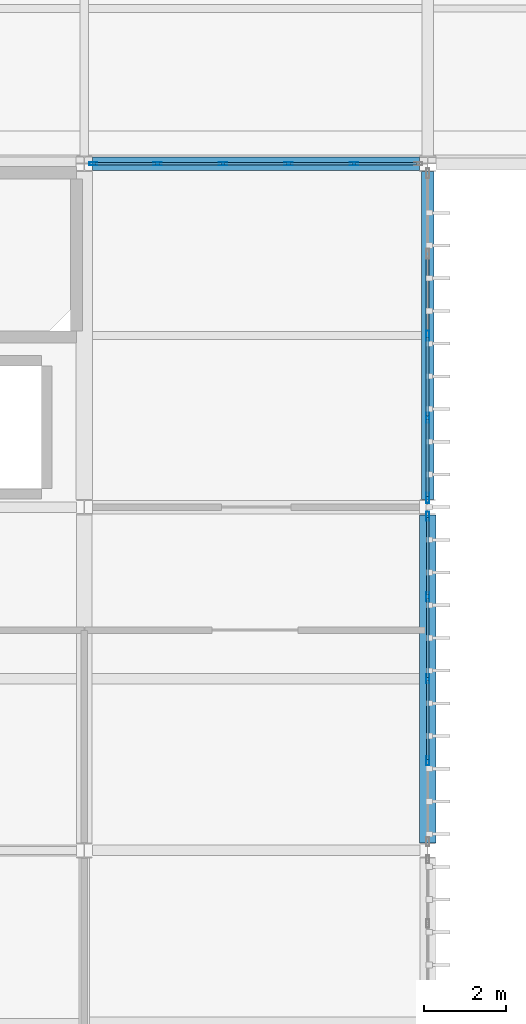
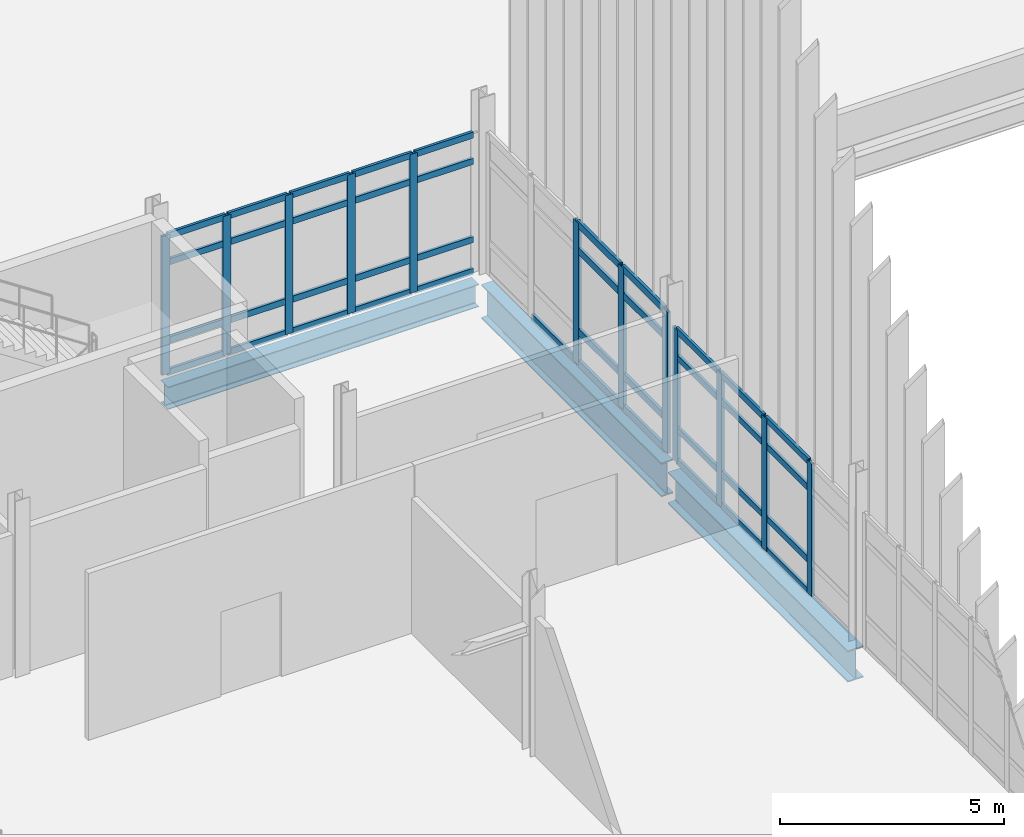
# One storey, part 45 of 153: 53 members, 3 beams, 3 elements without a shape of their own.
"""IFC4 building model written with IfcOpenShell, lengths in metres."""

from ifc_helpers import new_model, si_unit, direction, frame, origin, origin_2d, place, context, subcontext, project, spatial, hollow_rectangle, i_section, extrude, material, layer, layer_set, material_profile, profile_set, type_object, element, aggregate, save


model = new_model("IFC4")

# Units and contexts
model_context = context("Model", 3, precision=1e-05, world=origin(), true_north=direction((0.0, 1.0)))
body_context = subcontext(model_context, "Body", "Model", "MODEL_VIEW")
ifc_project = project(units=[si_unit("LENGTHUNIT", "METRE"), si_unit("AREAUNIT", "SQUARE_METRE"), si_unit("VOLUMEUNIT", "CUBIC_METRE"), si_unit("PLANEANGLEUNIT", "RADIAN"), si_unit("MASSUNIT", "GRAM", prefix="KILO")], contexts=[model_context])

# Site, building, storey
site_placement = place(None, origin())
site = spatial("IfcSite", under=ifc_project, at=site_placement, CompositionType="ELEMENT")
building_placement = place(site_placement, origin())
building = spatial("IfcBuilding", under=site, at=building_placement, Name="Calvrana Isthmian Art Gallery", CompositionType="ELEMENT")
storey_placement = place(building_placement, frame((0.0, 0.0, 10.199951171875)))
storey = spatial("IfcBuildingStorey", under=building, at=storey_placement, Name="L02", CompositionType="ELEMENT", Elevation=10.199951171875)

# Beams
ifc_material_1 = material(Name="Steel ASTM A992 Gr 50", Category="steel")
ifc_material_profile_1 = material_profile(ifc_material_1, i_section(OverallWidth=0.324951171875, OverallDepth=0.612060546875, WebThickness=0.0126953125, FlangeThickness=0.01904296875, FilletRadius=0.02197265625, at=origin_2d()), Name="W24X104")
ifc_profile_set_1 = profile_set([ifc_material_profile_1], Name="Steel ASTM A992 Gr 50")
beam_type_1 = type_object("IfcBeamType", Name="BM-G-W24X104", PredefinedType="BEAM", material=ifc_profile_set_1)
beam_1_placement = place(storey_placement, frame((72.199462890625, 46.800048828125, -0.571044921875), z_axis=(1.0, 0.0, 0.0), x_axis=(0.0, 1.0, 0.0)))
element("IfcBeam", 1, at=beam_1_placement, inside=storey, type_object=beam_type_1, Name="Girder X L02 10-11/G", PredefinedType="BEAM", context=body_context, shape_type="SweptSolid", body=[
    extrude(i_section(OverallWidth=0.324951171875, OverallDepth=0.612060546875, WebThickness=0.0126953125, FlangeThickness=0.01904296875, FilletRadius=0.02197265625, at=origin_2d()), origin(), (0.0, 0.0, 1.0), 8.00244140625),
])
ifc_material_profile_2 = material_profile(ifc_material_1, i_section(OverallWidth=0.40087890625, OverallDepth=0.85595703125, WebThickness=0.018310546875, FlangeThickness=0.029296875, FilletRadius=0.02587890625, at=origin_2d()), Name="W33X201")
ifc_profile_set_2 = profile_set([ifc_material_profile_2], Name="Steel ASTM A992 Gr 50")
beam_type_2 = type_object("IfcBeamType", Name="BM-G-W33X201", PredefinedType="BEAM", material=ifc_profile_set_2)
beam_2_placement = place(storey_placement, frame((80.39990234375, 30.1865234375, -0.69287109375), z_axis=(0.0, 1.0, 0.0), x_axis=(-1.0, 0.0, 0.0)))
element("IfcBeam", 2, at=beam_2_placement, inside=storey, type_object=beam_type_2, Name="Girder Y L02 11/E-F", PredefinedType="BEAM", context=body_context, shape_type="SweptSolid", body=[
    extrude(i_section(OverallWidth=0.40087890625, OverallDepth=0.85595703125, WebThickness=0.018310546875, FlangeThickness=0.029296875, FilletRadius=0.02587890625, at=origin_2d()), origin(), (0.0, 0.0, 1.0), 8.025390625),
])
ifc_material_profile_3 = material_profile(ifc_material_1, i_section(OverallWidth=0.306884765625, OverallDepth=0.927001953125, WebThickness=0.019287109375, FlangeThickness=0.031982421875, FilletRadius=0.028076171875, at=origin_2d()), Name="W36X194")
ifc_profile_set_3 = profile_set([ifc_material_profile_3], Name="Steel ASTM A992 Gr 50")
beam_type_3 = type_object("IfcBeamType", Name="BM-G-W36X194", PredefinedType="BEAM", material=ifc_profile_set_3)
beam_3_placement = place(storey_placement, frame((80.39990234375, 38.587890625, -0.728515625), z_axis=(0.0, 1.0, 0.0), x_axis=(-1.0, 0.0, 0.0)))
element("IfcBeam", 3, at=beam_3_placement, inside=storey, type_object=beam_type_3, Name="Girder Y L02 11/F-G", PredefinedType="BEAM", context=body_context, shape_type="SweptSolid", body=[
    extrude(i_section(OverallWidth=0.306884765625, OverallDepth=0.927001953125, WebThickness=0.019287109375, FlangeThickness=0.031982421875, FilletRadius=0.028076171875, at=origin_2d()), origin(), (0.0, 0.0, 1.0), 8.021728515625),
])

# Curtain wall, members
ifc_material_2 = material(Name="Anodized bronze aluminium 6063-T6", Category="aluminium")
ifc_layer_1 = layer(ifc_material_2, 0.179931640625, Name="Anodized bronze aluminium 6063-T6")
ifc_layer_set_1 = layer_set([ifc_layer_1], Name="Anodized bronze aluminium 6063-T6")
curtain_wall_type_1 = type_object("IfcCurtainWallType", Name="CW-UNIT-080X38", PredefinedType="USERDEFINED", material=ifc_layer_set_1)
curtain_wall_1_placement = place(storey_placement, origin())
curtain_wall_1 = element("IfcCurtainWall", 4, at=curtain_wall_1_placement, inside=storey, type_object=curtain_wall_type_1, Name="Curtain wall CW-153", ObjectType="UNITISED CURTAIN WALL", PredefinedType="USERDEFINED")
ifc_material_profile_4 = material_profile(ifc_material_2, hollow_rectangle(XDim=0.070068359375, YDim=0.199951171875, WallThickness=0.0048828125, at=origin_2d()), Name="CWM70X200")
ifc_profile_set_4 = profile_set([ifc_material_profile_4], Name="Anodized bronze aluminium 6063-T6")
member_type_1 = type_object("IfcMemberType", Name="CWM-CWM70X200", PredefinedType="MULLION", material=ifc_profile_set_4)
member_1_placement = place(storey_placement, frame((72.221435546875, 46.800048828125, 0.0), z_axis=(0.0, 0.0, 1.0), x_axis=(0.0, 1.0, 0.0)))
member_1 = element("IfcMember", 5, at=member_1_placement, type_object=member_type_1, Name="CW-153 mullion 1", PredefinedType="MULLION", context=body_context, shape_type="SweptSolid", body=[
    extrude(hollow_rectangle(XDim=0.070068359375, YDim=0.199951171875, WallThickness=0.0048828125, at=origin_2d()), origin(), (0.0, 0.0, 1.0), 3.778076171875),
])
member_2_placement = place(storey_placement, frame((73.789306640625, 46.800048828125, 0.0), z_axis=(0.0, 0.0, 1.0), x_axis=(0.0, 1.0, 0.0)))
member_2 = element("IfcMember", 6, at=member_2_placement, type_object=member_type_1, Name="CW-153 mullion 2", PredefinedType="MULLION", context=body_context, shape_type="SweptSolid", body=[
    extrude(hollow_rectangle(XDim=0.070068359375, YDim=0.199951171875, WallThickness=0.0048828125, at=origin_2d()), origin(), (0.0, 0.0, 1.0), 3.778076171875),
])
member_3_placement = place(storey_placement, frame((75.39208984375, 46.800048828125, 0.0), z_axis=(0.0, 0.0, 1.0), x_axis=(0.0, 1.0, 0.0)))
member_3 = element("IfcMember", 7, at=member_3_placement, type_object=member_type_1, Name="CW-153 mullion 3", PredefinedType="MULLION", context=body_context, shape_type="SweptSolid", body=[
    extrude(hollow_rectangle(XDim=0.070068359375, YDim=0.199951171875, WallThickness=0.0048828125, at=origin_2d()), origin(), (0.0, 0.0, 1.0), 3.778076171875),
])
member_4_placement = place(storey_placement, frame((76.994873046875, 46.800048828125, 0.0), z_axis=(0.0, 0.0, 1.0), x_axis=(0.0, 1.0, 0.0)))
member_4 = element("IfcMember", 8, at=member_4_placement, type_object=member_type_1, Name="CW-153 mullion 4", PredefinedType="MULLION", context=body_context, shape_type="SweptSolid", body=[
    extrude(hollow_rectangle(XDim=0.070068359375, YDim=0.199951171875, WallThickness=0.0048828125, at=origin_2d()), origin(), (0.0, 0.0, 1.0), 3.778076171875),
])
member_5_placement = place(storey_placement, frame((78.59765625, 46.800048828125, 0.0), z_axis=(0.0, 0.0, 1.0), x_axis=(0.0, 1.0, 0.0)))
member_5 = element("IfcMember", 9, at=member_5_placement, type_object=member_type_1, Name="CW-153 mullion 5", PredefinedType="MULLION", context=body_context, shape_type="SweptSolid", body=[
    extrude(hollow_rectangle(XDim=0.070068359375, YDim=0.199951171875, WallThickness=0.0048828125, at=origin_2d()), origin(), (0.0, 0.0, 1.0), 3.778076171875),
])

ifc_layer_2 = layer(ifc_material_2, 0.179931640625, Name="Anodized bronze aluminium 6063-T6")
ifc_layer_set_2 = layer_set([ifc_layer_2], Name="Anodized bronze aluminium 6063-T6")
curtain_wall_type_2 = type_object("IfcCurtainWallType", Name="CW-UNIT-080X36", PredefinedType="USERDEFINED", material=ifc_layer_set_2)
curtain_wall_2_placement = place(storey_placement, origin())
curtain_wall_2 = element("IfcCurtainWall", 10, at=curtain_wall_2_placement, inside=storey, type_object=curtain_wall_type_2, Name="Curtain wall CW-178", ObjectType="UNITISED CURTAIN WALL", PredefinedType="USERDEFINED")
ifc_material_profile_5 = material_profile(ifc_material_2, hollow_rectangle(XDim=0.074951171875, YDim=0.219970703125, WallThickness=0.0048828125, at=origin_2d()), Name="CWM75X220")
ifc_profile_set_5 = profile_set([ifc_material_profile_5], Name="Anodized bronze aluminium 6063-T6")
member_type_2 = type_object("IfcMemberType", Name="CWM-CWM75X220", PredefinedType="MULLION", material=ifc_profile_set_5)
member_6_placement = place(storey_placement, frame((80.39990234375, 38.178466796875, 0.0), z_axis=(0.0, 0.0, 1.0), x_axis=(1.0, 0.0, 0.0)))
member_6 = element("IfcMember", 11, at=member_6_placement, type_object=member_type_2, Name="CW-178 mullion 1", PredefinedType="MULLION", context=body_context, shape_type="SweptSolid", body=[
    extrude(hollow_rectangle(XDim=0.074951171875, YDim=0.219970703125, WallThickness=0.0048828125, at=origin_2d()), origin(), (0.0, 0.0, 1.0), 3.613037109375),
])
member_7_placement = place(storey_placement, frame((80.39990234375, 36.207275390625, 0.0), z_axis=(0.0, 0.0, 1.0), x_axis=(1.0, 0.0, 0.0)))
member_7 = element("IfcMember", 12, at=member_7_placement, type_object=member_type_2, Name="CW-178 mullion 2", PredefinedType="MULLION", context=body_context, shape_type="SweptSolid", body=[
    extrude(hollow_rectangle(XDim=0.074951171875, YDim=0.219970703125, WallThickness=0.0048828125, at=origin_2d()), origin(), (0.0, 0.0, 1.0), 3.613037109375),
])
member_8_placement = place(storey_placement, frame((80.39990234375, 34.19873046875, 0.0), z_axis=(0.0, 0.0, 1.0), x_axis=(1.0, 0.0, 0.0)))
member_8 = element("IfcMember", 13, at=member_8_placement, type_object=member_type_2, Name="CW-178 mullion 3", PredefinedType="MULLION", context=body_context, shape_type="SweptSolid", body=[
    extrude(hollow_rectangle(XDim=0.074951171875, YDim=0.219970703125, WallThickness=0.0048828125, at=origin_2d()), origin(), (0.0, 0.0, 1.0), 3.613037109375),
])
member_9_placement = place(storey_placement, frame((80.39990234375, 32.190185546875, 0.0), z_axis=(0.0, 0.0, 1.0), x_axis=(1.0, 0.0, 0.0)))
member_9 = element("IfcMember", 14, at=member_9_placement, type_object=member_type_2, Name="CW-178 mullion 4", PredefinedType="MULLION", context=body_context, shape_type="SweptSolid", body=[
    extrude(hollow_rectangle(XDim=0.074951171875, YDim=0.219970703125, WallThickness=0.0048828125, at=origin_2d()), origin(), (0.0, 0.0, 1.0), 3.613037109375),
])

curtain_wall_3_placement = place(storey_placement, origin())
curtain_wall_3 = element("IfcCurtainWall", 15, at=curtain_wall_3_placement, inside=storey, type_object=curtain_wall_type_1, Name="Curtain wall CW-179", ObjectType="UNITISED CURTAIN WALL", PredefinedType="USERDEFINED")
ifc_material_profile_6 = material_profile(ifc_material_2, hollow_rectangle(XDim=0.080078125, YDim=0.25, WallThickness=0.005615234375, at=origin_2d()), Name="CWM80X250")
ifc_profile_set_6 = profile_set([ifc_material_profile_6], Name="Anodized bronze aluminium 6063-T6")
member_type_3 = type_object("IfcMemberType", Name="CWM-CWM80X250", PredefinedType="MULLION", material=ifc_profile_set_6)
member_10_placement = place(storey_placement, frame((80.39990234375, 42.595458984375, 0.0), z_axis=(0.0, 0.0, 1.0), x_axis=(1.0, 0.0, 0.0)))
member_10 = element("IfcMember", 16, at=member_10_placement, type_object=member_type_3, Name="CW-179 mullion 3", PredefinedType="MULLION", context=body_context, shape_type="SweptSolid", body=[
    extrude(hollow_rectangle(XDim=0.080078125, YDim=0.25, WallThickness=0.005615234375, at=origin_2d()), origin(), (0.0, 0.0, 1.0), 3.84716796875),
])
member_11_placement = place(storey_placement, frame((80.39990234375, 40.58984375, 0.0), z_axis=(0.0, 0.0, 1.0), x_axis=(1.0, 0.0, 0.0)))
member_11 = element("IfcMember", 17, at=member_11_placement, type_object=member_type_3, Name="CW-179 mullion 4", PredefinedType="MULLION", context=body_context, shape_type="SweptSolid", body=[
    extrude(hollow_rectangle(XDim=0.080078125, YDim=0.25, WallThickness=0.005615234375, at=origin_2d()), origin(), (0.0, 0.0, 1.0), 3.84716796875),
])
member_12_placement = place(storey_placement, frame((80.39990234375, 38.6240234375, 0.0), z_axis=(0.0, 0.0, 1.0), x_axis=(1.0, 0.0, 0.0)))
member_12 = element("IfcMember", 18, at=member_12_placement, type_object=member_type_3, Name="CW-179 mullion 5", PredefinedType="MULLION", context=body_context, shape_type="SweptSolid", body=[
    extrude(hollow_rectangle(XDim=0.080078125, YDim=0.25, WallThickness=0.005615234375, at=origin_2d()), origin(), (0.0, 0.0, 1.0), 3.84716796875),
])

# Member
ifc_material_profile_7 = material_profile(ifc_material_2, hollow_rectangle(XDim=0.070068359375, YDim=0.169921875, WallThickness=0.00439453125, at=origin_2d()), Name="CWT70X170")
ifc_profile_set_7 = profile_set([ifc_material_profile_7], Name="Anodized bronze aluminium 6063-T6")
member_type_4 = type_object("IfcMemberType", Name="CWT-CWT70X170", PredefinedType="USERDEFINED", material=ifc_profile_set_7)
member_13_placement = place(storey_placement, frame((72.256591796875, 46.800048828125, 0.03515625), z_axis=(1.0, 0.0, 0.0), x_axis=(0.0, 1.0, 0.0)))
member_13 = element("IfcMember", 19, at=member_13_placement, type_object=member_type_4, Name="CW-153 transom 1.1", ObjectType="TRANSOM", PredefinedType="USERDEFINED", context=body_context, shape_type="SweptSolid", body=[
    extrude(hollow_rectangle(XDim=0.070068359375, YDim=0.169921875, WallThickness=0.00439453125, at=origin_2d()), origin(), (0.0, 0.0, 1.0), 1.497802734375),
])

member_14_placement = place(storey_placement, frame((72.256591796875, 46.800048828125, 0.900146484375), z_axis=(1.0, 0.0, 0.0), x_axis=(0.0, 1.0, 0.0)))
member_14 = element("IfcMember", 20, at=member_14_placement, type_object=member_type_4, Name="CW-153 transom 1.2", ObjectType="TRANSOM", PredefinedType="USERDEFINED", context=body_context, shape_type="SweptSolid", body=[
    extrude(hollow_rectangle(XDim=0.070068359375, YDim=0.169921875, WallThickness=0.00439453125, at=origin_2d()), origin(), (0.0, 0.0, 1.0), 1.497802734375),
])

member_15_placement = place(storey_placement, frame((72.256591796875, 46.800048828125, 3.028076171875), z_axis=(1.0, 0.0, 0.0), x_axis=(0.0, 1.0, 0.0)))
member_15 = element("IfcMember", 21, at=member_15_placement, type_object=member_type_4, Name="CW-153 transom 1.3", ObjectType="TRANSOM", PredefinedType="USERDEFINED", context=body_context, shape_type="SweptSolid", body=[
    extrude(hollow_rectangle(XDim=0.070068359375, YDim=0.169921875, WallThickness=0.00439453125, at=origin_2d()), origin(), (0.0, 0.0, 1.0), 1.497802734375),
])

member_16_placement = place(storey_placement, frame((72.256591796875, 46.800048828125, 3.7431640625), z_axis=(1.0, 0.0, 0.0), x_axis=(0.0, 1.0, 0.0)))
member_16 = element("IfcMember", 22, at=member_16_placement, type_object=member_type_4, Name="CW-153 transom 1.4", ObjectType="TRANSOM", PredefinedType="USERDEFINED", context=body_context, shape_type="SweptSolid", body=[
    extrude(hollow_rectangle(XDim=0.070068359375, YDim=0.169921875, WallThickness=0.00439453125, at=origin_2d()), origin(), (0.0, 0.0, 1.0), 1.497802734375),
])

member_17_placement = place(storey_placement, frame((73.82421875, 46.800048828125, 0.03515625), z_axis=(1.0, 0.0, 0.0), x_axis=(0.0, 1.0, 0.0)))
member_17 = element("IfcMember", 23, at=member_17_placement, type_object=member_type_4, Name="CW-153 transom 2.1", ObjectType="TRANSOM", PredefinedType="USERDEFINED", context=body_context, shape_type="SweptSolid", body=[
    extrude(hollow_rectangle(XDim=0.070068359375, YDim=0.169921875, WallThickness=0.00439453125, at=origin_2d()), origin(), (0.0, 0.0, 1.0), 1.532958984375),
])

member_18_placement = place(storey_placement, frame((73.82421875, 46.800048828125, 0.900146484375), z_axis=(1.0, 0.0, 0.0), x_axis=(0.0, 1.0, 0.0)))
member_18 = element("IfcMember", 24, at=member_18_placement, type_object=member_type_4, Name="CW-153 transom 2.2", ObjectType="TRANSOM", PredefinedType="USERDEFINED", context=body_context, shape_type="SweptSolid", body=[
    extrude(hollow_rectangle(XDim=0.070068359375, YDim=0.169921875, WallThickness=0.00439453125, at=origin_2d()), origin(), (0.0, 0.0, 1.0), 1.532958984375),
])

member_19_placement = place(storey_placement, frame((73.82421875, 46.800048828125, 3.028076171875), z_axis=(1.0, 0.0, 0.0), x_axis=(0.0, 1.0, 0.0)))
member_19 = element("IfcMember", 25, at=member_19_placement, type_object=member_type_4, Name="CW-153 transom 2.3", ObjectType="TRANSOM", PredefinedType="USERDEFINED", context=body_context, shape_type="SweptSolid", body=[
    extrude(hollow_rectangle(XDim=0.070068359375, YDim=0.169921875, WallThickness=0.00439453125, at=origin_2d()), origin(), (0.0, 0.0, 1.0), 1.532958984375),
])

member_20_placement = place(storey_placement, frame((73.82421875, 46.800048828125, 3.7431640625), z_axis=(1.0, 0.0, 0.0), x_axis=(0.0, 1.0, 0.0)))
member_20 = element("IfcMember", 26, at=member_20_placement, type_object=member_type_4, Name="CW-153 transom 2.4", ObjectType="TRANSOM", PredefinedType="USERDEFINED", context=body_context, shape_type="SweptSolid", body=[
    extrude(hollow_rectangle(XDim=0.070068359375, YDim=0.169921875, WallThickness=0.00439453125, at=origin_2d()), origin(), (0.0, 0.0, 1.0), 1.532958984375),
])

member_21_placement = place(storey_placement, frame((75.427001953125, 46.800048828125, 0.03515625), z_axis=(1.0, 0.0, 0.0), x_axis=(0.0, 1.0, 0.0)))
member_21 = element("IfcMember", 27, at=member_21_placement, type_object=member_type_4, Name="CW-153 transom 3.1", ObjectType="TRANSOM", PredefinedType="USERDEFINED", context=body_context, shape_type="SweptSolid", body=[
    extrude(hollow_rectangle(XDim=0.070068359375, YDim=0.169921875, WallThickness=0.00439453125, at=origin_2d()), origin(), (0.0, 0.0, 1.0), 1.532958984375),
])

member_22_placement = place(storey_placement, frame((75.427001953125, 46.800048828125, 0.900146484375), z_axis=(1.0, 0.0, 0.0), x_axis=(0.0, 1.0, 0.0)))
member_22 = element("IfcMember", 28, at=member_22_placement, type_object=member_type_4, Name="CW-153 transom 3.2", ObjectType="TRANSOM", PredefinedType="USERDEFINED", context=body_context, shape_type="SweptSolid", body=[
    extrude(hollow_rectangle(XDim=0.070068359375, YDim=0.169921875, WallThickness=0.00439453125, at=origin_2d()), origin(), (0.0, 0.0, 1.0), 1.532958984375),
])

member_23_placement = place(storey_placement, frame((75.427001953125, 46.800048828125, 3.028076171875), z_axis=(1.0, 0.0, 0.0), x_axis=(0.0, 1.0, 0.0)))
member_23 = element("IfcMember", 29, at=member_23_placement, type_object=member_type_4, Name="CW-153 transom 3.3", ObjectType="TRANSOM", PredefinedType="USERDEFINED", context=body_context, shape_type="SweptSolid", body=[
    extrude(hollow_rectangle(XDim=0.070068359375, YDim=0.169921875, WallThickness=0.00439453125, at=origin_2d()), origin(), (0.0, 0.0, 1.0), 1.532958984375),
])

member_24_placement = place(storey_placement, frame((75.427001953125, 46.800048828125, 3.7431640625), z_axis=(1.0, 0.0, 0.0), x_axis=(0.0, 1.0, 0.0)))
member_24 = element("IfcMember", 30, at=member_24_placement, type_object=member_type_4, Name="CW-153 transom 3.4", ObjectType="TRANSOM", PredefinedType="USERDEFINED", context=body_context, shape_type="SweptSolid", body=[
    extrude(hollow_rectangle(XDim=0.070068359375, YDim=0.169921875, WallThickness=0.00439453125, at=origin_2d()), origin(), (0.0, 0.0, 1.0), 1.532958984375),
])

member_25_placement = place(storey_placement, frame((77.02978515625, 46.800048828125, 0.03515625), z_axis=(1.0, 0.0, 0.0), x_axis=(0.0, 1.0, 0.0)))
member_25 = element("IfcMember", 31, at=member_25_placement, type_object=member_type_4, Name="CW-153 transom 4.1", ObjectType="TRANSOM", PredefinedType="USERDEFINED", context=body_context, shape_type="SweptSolid", body=[
    extrude(hollow_rectangle(XDim=0.070068359375, YDim=0.169921875, WallThickness=0.00439453125, at=origin_2d()), origin(), (0.0, 0.0, 1.0), 1.532958984375),
])

member_26_placement = place(storey_placement, frame((77.02978515625, 46.800048828125, 0.900146484375), z_axis=(1.0, 0.0, 0.0), x_axis=(0.0, 1.0, 0.0)))
member_26 = element("IfcMember", 32, at=member_26_placement, type_object=member_type_4, Name="CW-153 transom 4.2", ObjectType="TRANSOM", PredefinedType="USERDEFINED", context=body_context, shape_type="SweptSolid", body=[
    extrude(hollow_rectangle(XDim=0.070068359375, YDim=0.169921875, WallThickness=0.00439453125, at=origin_2d()), origin(), (0.0, 0.0, 1.0), 1.532958984375),
])

member_27_placement = place(storey_placement, frame((77.02978515625, 46.800048828125, 3.028076171875), z_axis=(1.0, 0.0, 0.0), x_axis=(0.0, 1.0, 0.0)))
member_27 = element("IfcMember", 33, at=member_27_placement, type_object=member_type_4, Name="CW-153 transom 4.3", ObjectType="TRANSOM", PredefinedType="USERDEFINED", context=body_context, shape_type="SweptSolid", body=[
    extrude(hollow_rectangle(XDim=0.070068359375, YDim=0.169921875, WallThickness=0.00439453125, at=origin_2d()), origin(), (0.0, 0.0, 1.0), 1.532958984375),
])

member_28_placement = place(storey_placement, frame((77.02978515625, 46.800048828125, 3.7431640625), z_axis=(1.0, 0.0, 0.0), x_axis=(0.0, 1.0, 0.0)))
member_28 = element("IfcMember", 34, at=member_28_placement, type_object=member_type_4, Name="CW-153 transom 4.4", ObjectType="TRANSOM", PredefinedType="USERDEFINED", context=body_context, shape_type="SweptSolid", body=[
    extrude(hollow_rectangle(XDim=0.070068359375, YDim=0.169921875, WallThickness=0.00439453125, at=origin_2d()), origin(), (0.0, 0.0, 1.0), 1.532958984375),
])

member_29_placement = place(storey_placement, frame((78.6328125, 46.800048828125, 0.03515625), z_axis=(1.0, 0.0, 0.0), x_axis=(0.0, 1.0, 0.0)))
member_29 = element("IfcMember", 35, at=member_29_placement, type_object=member_type_4, Name="CW-153 transom 5.1", ObjectType="TRANSOM", PredefinedType="USERDEFINED", context=body_context, shape_type="SweptSolid", body=[
    extrude(hollow_rectangle(XDim=0.070068359375, YDim=0.169921875, WallThickness=0.00439453125, at=origin_2d()), origin(), (0.0, 0.0, 1.0), 1.497802734375),
])

member_30_placement = place(storey_placement, frame((78.6328125, 46.800048828125, 0.900146484375), z_axis=(1.0, 0.0, 0.0), x_axis=(0.0, 1.0, 0.0)))
member_30 = element("IfcMember", 36, at=member_30_placement, type_object=member_type_4, Name="CW-153 transom 5.2", ObjectType="TRANSOM", PredefinedType="USERDEFINED", context=body_context, shape_type="SweptSolid", body=[
    extrude(hollow_rectangle(XDim=0.070068359375, YDim=0.169921875, WallThickness=0.00439453125, at=origin_2d()), origin(), (0.0, 0.0, 1.0), 1.497802734375),
])

member_31_placement = place(storey_placement, frame((78.6328125, 46.800048828125, 3.028076171875), z_axis=(1.0, 0.0, 0.0), x_axis=(0.0, 1.0, 0.0)))
member_31 = element("IfcMember", 37, at=member_31_placement, type_object=member_type_4, Name="CW-153 transom 5.3", ObjectType="TRANSOM", PredefinedType="USERDEFINED", context=body_context, shape_type="SweptSolid", body=[
    extrude(hollow_rectangle(XDim=0.070068359375, YDim=0.169921875, WallThickness=0.00439453125, at=origin_2d()), origin(), (0.0, 0.0, 1.0), 1.497802734375),
])

member_32_placement = place(storey_placement, frame((78.6328125, 46.800048828125, 3.7431640625), z_axis=(1.0, 0.0, 0.0), x_axis=(0.0, 1.0, 0.0)))
member_32 = element("IfcMember", 38, at=member_32_placement, type_object=member_type_4, Name="CW-153 transom 5.4", ObjectType="TRANSOM", PredefinedType="USERDEFINED", context=body_context, shape_type="SweptSolid", body=[
    extrude(hollow_rectangle(XDim=0.070068359375, YDim=0.169921875, WallThickness=0.00439453125, at=origin_2d()), origin(), (0.0, 0.0, 1.0), 1.497802734375),
])

aggregate(curtain_wall_1, [member_1, member_2, member_3, member_4, member_5, member_13, member_14, member_15, member_16, member_17, member_18, member_19, member_20, member_21, member_22, member_23, member_24, member_25, member_26, member_27, member_28, member_29, member_30, member_31, member_32])

member_33_placement = place(storey_placement, frame((80.39990234375, 38.14111328125, 0.03515625), z_axis=(0.0, -1.0, 0.0), x_axis=(1.0, 0.0, 0.0)))
member_33 = element("IfcMember", 39, at=member_33_placement, type_object=member_type_4, Name="CW-178 transom 1.1", ObjectType="TRANSOM", PredefinedType="USERDEFINED", context=body_context, shape_type="SweptSolid", body=[
    extrude(hollow_rectangle(XDim=0.070068359375, YDim=0.169921875, WallThickness=0.00439453125, at=origin_2d()), origin(), (0.0, 0.0, 1.0), 1.896240234375),
])

member_34_placement = place(storey_placement, frame((80.39990234375, 38.14111328125, 0.900146484375), z_axis=(0.0, -1.0, 0.0), x_axis=(1.0, 0.0, 0.0)))
member_34 = element("IfcMember", 40, at=member_34_placement, type_object=member_type_4, Name="CW-178 transom 1.2", ObjectType="TRANSOM", PredefinedType="USERDEFINED", context=body_context, shape_type="SweptSolid", body=[
    extrude(hollow_rectangle(XDim=0.070068359375, YDim=0.169921875, WallThickness=0.00439453125, at=origin_2d()), origin(), (0.0, 0.0, 1.0), 1.896240234375),
])

member_35_placement = place(storey_placement, frame((80.39990234375, 38.14111328125, 2.863037109375), z_axis=(0.0, -1.0, 0.0), x_axis=(1.0, 0.0, 0.0)))
member_35 = element("IfcMember", 41, at=member_35_placement, type_object=member_type_4, Name="CW-178 transom 1.3", ObjectType="TRANSOM", PredefinedType="USERDEFINED", context=body_context, shape_type="SweptSolid", body=[
    extrude(hollow_rectangle(XDim=0.070068359375, YDim=0.169921875, WallThickness=0.00439453125, at=origin_2d()), origin(), (0.0, 0.0, 1.0), 1.896240234375),
])

member_36_placement = place(storey_placement, frame((80.39990234375, 38.14111328125, 3.578125), z_axis=(0.0, -1.0, 0.0), x_axis=(1.0, 0.0, 0.0)))
member_36 = element("IfcMember", 42, at=member_36_placement, type_object=member_type_4, Name="CW-178 transom 1.4", ObjectType="TRANSOM", PredefinedType="USERDEFINED", context=body_context, shape_type="SweptSolid", body=[
    extrude(hollow_rectangle(XDim=0.070068359375, YDim=0.169921875, WallThickness=0.00439453125, at=origin_2d()), origin(), (0.0, 0.0, 1.0), 1.896240234375),
])

member_37_placement = place(storey_placement, frame((80.39990234375, 36.169921875, 0.03515625), z_axis=(0.0, -1.0, 0.0), x_axis=(1.0, 0.0, 0.0)))
member_37 = element("IfcMember", 43, at=member_37_placement, type_object=member_type_4, Name="CW-178 transom 2.1", ObjectType="TRANSOM", PredefinedType="USERDEFINED", context=body_context, shape_type="SweptSolid", body=[
    extrude(hollow_rectangle(XDim=0.070068359375, YDim=0.169921875, WallThickness=0.00439453125, at=origin_2d()), origin(), (0.0, 0.0, 1.0), 1.93359375),
])

member_38_placement = place(storey_placement, frame((80.39990234375, 36.169921875, 0.900146484375), z_axis=(0.0, -1.0, 0.0), x_axis=(1.0, 0.0, 0.0)))
member_38 = element("IfcMember", 44, at=member_38_placement, type_object=member_type_4, Name="CW-178 transom 2.2", ObjectType="TRANSOM", PredefinedType="USERDEFINED", context=body_context, shape_type="SweptSolid", body=[
    extrude(hollow_rectangle(XDim=0.070068359375, YDim=0.169921875, WallThickness=0.00439453125, at=origin_2d()), origin(), (0.0, 0.0, 1.0), 1.93359375),
])

member_39_placement = place(storey_placement, frame((80.39990234375, 36.169921875, 2.863037109375), z_axis=(0.0, -1.0, 0.0), x_axis=(1.0, 0.0, 0.0)))
member_39 = element("IfcMember", 45, at=member_39_placement, type_object=member_type_4, Name="CW-178 transom 2.3", ObjectType="TRANSOM", PredefinedType="USERDEFINED", context=body_context, shape_type="SweptSolid", body=[
    extrude(hollow_rectangle(XDim=0.070068359375, YDim=0.169921875, WallThickness=0.00439453125, at=origin_2d()), origin(), (0.0, 0.0, 1.0), 1.93359375),
])

member_40_placement = place(storey_placement, frame((80.39990234375, 36.169921875, 3.578125), z_axis=(0.0, -1.0, 0.0), x_axis=(1.0, 0.0, 0.0)))
member_40 = element("IfcMember", 46, at=member_40_placement, type_object=member_type_4, Name="CW-178 transom 2.4", ObjectType="TRANSOM", PredefinedType="USERDEFINED", context=body_context, shape_type="SweptSolid", body=[
    extrude(hollow_rectangle(XDim=0.070068359375, YDim=0.169921875, WallThickness=0.00439453125, at=origin_2d()), origin(), (0.0, 0.0, 1.0), 1.93359375),
])

member_41_placement = place(storey_placement, frame((80.39990234375, 34.1611328125, 0.03515625), z_axis=(0.0, -1.0, 0.0), x_axis=(1.0, 0.0, 0.0)))
member_41 = element("IfcMember", 47, at=member_41_placement, type_object=member_type_4, Name="CW-178 transom 3.1", ObjectType="TRANSOM", PredefinedType="USERDEFINED", context=body_context, shape_type="SweptSolid", body=[
    extrude(hollow_rectangle(XDim=0.070068359375, YDim=0.169921875, WallThickness=0.00439453125, at=origin_2d()), origin(), (0.0, 0.0, 1.0), 1.93359375),
])

member_42_placement = place(storey_placement, frame((80.39990234375, 34.1611328125, 0.900146484375), z_axis=(0.0, -1.0, 0.0), x_axis=(1.0, 0.0, 0.0)))
member_42 = element("IfcMember", 48, at=member_42_placement, type_object=member_type_4, Name="CW-178 transom 3.2", ObjectType="TRANSOM", PredefinedType="USERDEFINED", context=body_context, shape_type="SweptSolid", body=[
    extrude(hollow_rectangle(XDim=0.070068359375, YDim=0.169921875, WallThickness=0.00439453125, at=origin_2d()), origin(), (0.0, 0.0, 1.0), 1.93359375),
])

member_43_placement = place(storey_placement, frame((80.39990234375, 34.1611328125, 2.863037109375), z_axis=(0.0, -1.0, 0.0), x_axis=(1.0, 0.0, 0.0)))
member_43 = element("IfcMember", 49, at=member_43_placement, type_object=member_type_4, Name="CW-178 transom 3.3", ObjectType="TRANSOM", PredefinedType="USERDEFINED", context=body_context, shape_type="SweptSolid", body=[
    extrude(hollow_rectangle(XDim=0.070068359375, YDim=0.169921875, WallThickness=0.00439453125, at=origin_2d()), origin(), (0.0, 0.0, 1.0), 1.93359375),
])

member_44_placement = place(storey_placement, frame((80.39990234375, 34.1611328125, 3.578125), z_axis=(0.0, -1.0, 0.0), x_axis=(1.0, 0.0, 0.0)))
member_44 = element("IfcMember", 50, at=member_44_placement, type_object=member_type_4, Name="CW-178 transom 3.4", ObjectType="TRANSOM", PredefinedType="USERDEFINED", context=body_context, shape_type="SweptSolid", body=[
    extrude(hollow_rectangle(XDim=0.070068359375, YDim=0.169921875, WallThickness=0.00439453125, at=origin_2d()), origin(), (0.0, 0.0, 1.0), 1.93359375),
])

aggregate(curtain_wall_2, [member_6, member_7, member_8, member_9, member_33, member_34, member_35, member_36, member_37, member_38, member_39, member_40, member_41, member_42, member_43, member_44])

ifc_material_profile_8 = material_profile(ifc_material_2, hollow_rectangle(XDim=0.074951171875, YDim=0.18994140625, WallThickness=0.00439453125, at=origin_2d()), Name="CWT75X190")
ifc_profile_set_8 = profile_set([ifc_material_profile_8], Name="Anodized bronze aluminium 6063-T6")
member_type_5 = type_object("IfcMemberType", Name="CWT-CWT75X190", PredefinedType="USERDEFINED", material=ifc_profile_set_8)
member_45_placement = place(storey_placement, frame((80.39990234375, 44.561279296875, 0.03759765625), z_axis=(0.0, -1.0, 0.0), x_axis=(1.0, 0.0, 0.0)))
member_45 = element("IfcMember", 51, at=member_45_placement, type_object=member_type_5, Name="CW-179 transom 2.1", ObjectType="TRANSOM", PredefinedType="USERDEFINED", context=body_context, shape_type="SweptSolid", body=[
    extrude(hollow_rectangle(XDim=0.074951171875, YDim=0.18994140625, WallThickness=0.00439453125, at=origin_2d()), origin(), (0.0, 0.0, 1.0), 1.92578125),
])

member_46_placement = place(storey_placement, frame((80.39990234375, 42.555419921875, 0.03759765625), z_axis=(0.0, -1.0, 0.0), x_axis=(1.0, 0.0, 0.0)))
member_46 = element("IfcMember", 52, at=member_46_placement, type_object=member_type_5, Name="CW-179 transom 3.1", ObjectType="TRANSOM", PredefinedType="USERDEFINED", context=body_context, shape_type="SweptSolid", body=[
    extrude(hollow_rectangle(XDim=0.074951171875, YDim=0.18994140625, WallThickness=0.00439453125, at=origin_2d()), origin(), (0.0, 0.0, 1.0), 1.92578125),
])

member_47_placement = place(storey_placement, frame((80.39990234375, 42.555419921875, 0.900146484375), z_axis=(0.0, -1.0, 0.0), x_axis=(1.0, 0.0, 0.0)))
member_47 = element("IfcMember", 53, at=member_47_placement, type_object=member_type_5, Name="CW-179 transom 3.2", ObjectType="TRANSOM", PredefinedType="USERDEFINED", context=body_context, shape_type="SweptSolid", body=[
    extrude(hollow_rectangle(XDim=0.074951171875, YDim=0.18994140625, WallThickness=0.00439453125, at=origin_2d()), origin(), (0.0, 0.0, 1.0), 1.92578125),
])

member_48_placement = place(storey_placement, frame((80.39990234375, 42.555419921875, 3.09716796875), z_axis=(0.0, -1.0, 0.0), x_axis=(1.0, 0.0, 0.0)))
member_48 = element("IfcMember", 54, at=member_48_placement, type_object=member_type_5, Name="CW-179 transom 3.3", ObjectType="TRANSOM", PredefinedType="USERDEFINED", context=body_context, shape_type="SweptSolid", body=[
    extrude(hollow_rectangle(XDim=0.074951171875, YDim=0.18994140625, WallThickness=0.00439453125, at=origin_2d()), origin(), (0.0, 0.0, 1.0), 1.92578125),
])

member_49_placement = place(storey_placement, frame((80.39990234375, 42.555419921875, 3.8095703125), z_axis=(0.0, -1.0, 0.0), x_axis=(1.0, 0.0, 0.0)))
member_49 = element("IfcMember", 55, at=member_49_placement, type_object=member_type_5, Name="CW-179 transom 3.4", ObjectType="TRANSOM", PredefinedType="USERDEFINED", context=body_context, shape_type="SweptSolid", body=[
    extrude(hollow_rectangle(XDim=0.074951171875, YDim=0.18994140625, WallThickness=0.00439453125, at=origin_2d()), origin(), (0.0, 0.0, 1.0), 1.92578125),
])

member_50_placement = place(storey_placement, frame((80.39990234375, 40.5498046875, 0.03759765625), z_axis=(0.0, -1.0, 0.0), x_axis=(1.0, 0.0, 0.0)))
member_50 = element("IfcMember", 56, at=member_50_placement, type_object=member_type_5, Name="CW-179 transom 4.1", ObjectType="TRANSOM", PredefinedType="USERDEFINED", context=body_context, shape_type="SweptSolid", body=[
    extrude(hollow_rectangle(XDim=0.074951171875, YDim=0.18994140625, WallThickness=0.00439453125, at=origin_2d()), origin(), (0.0, 0.0, 1.0), 1.8857421875),
])

member_51_placement = place(storey_placement, frame((80.39990234375, 40.5498046875, 0.900146484375), z_axis=(0.0, -1.0, 0.0), x_axis=(1.0, 0.0, 0.0)))
member_51 = element("IfcMember", 57, at=member_51_placement, type_object=member_type_5, Name="CW-179 transom 4.2", ObjectType="TRANSOM", PredefinedType="USERDEFINED", context=body_context, shape_type="SweptSolid", body=[
    extrude(hollow_rectangle(XDim=0.074951171875, YDim=0.18994140625, WallThickness=0.00439453125, at=origin_2d()), origin(), (0.0, 0.0, 1.0), 1.8857421875),
])

member_52_placement = place(storey_placement, frame((80.39990234375, 40.5498046875, 3.09716796875), z_axis=(0.0, -1.0, 0.0), x_axis=(1.0, 0.0, 0.0)))
member_52 = element("IfcMember", 58, at=member_52_placement, type_object=member_type_5, Name="CW-179 transom 4.3", ObjectType="TRANSOM", PredefinedType="USERDEFINED", context=body_context, shape_type="SweptSolid", body=[
    extrude(hollow_rectangle(XDim=0.074951171875, YDim=0.18994140625, WallThickness=0.00439453125, at=origin_2d()), origin(), (0.0, 0.0, 1.0), 1.8857421875),
])

member_53_placement = place(storey_placement, frame((80.39990234375, 40.5498046875, 3.8095703125), z_axis=(0.0, -1.0, 0.0), x_axis=(1.0, 0.0, 0.0)))
member_53 = element("IfcMember", 59, at=member_53_placement, type_object=member_type_5, Name="CW-179 transom 4.4", ObjectType="TRANSOM", PredefinedType="USERDEFINED", context=body_context, shape_type="SweptSolid", body=[
    extrude(hollow_rectangle(XDim=0.074951171875, YDim=0.18994140625, WallThickness=0.00439453125, at=origin_2d()), origin(), (0.0, 0.0, 1.0), 1.8857421875),
])

aggregate(curtain_wall_3, [member_10, member_11, member_12, member_45, member_46, member_47, member_48, member_49, member_50, member_51, member_52, member_53])

save(model, "model.ifc")
